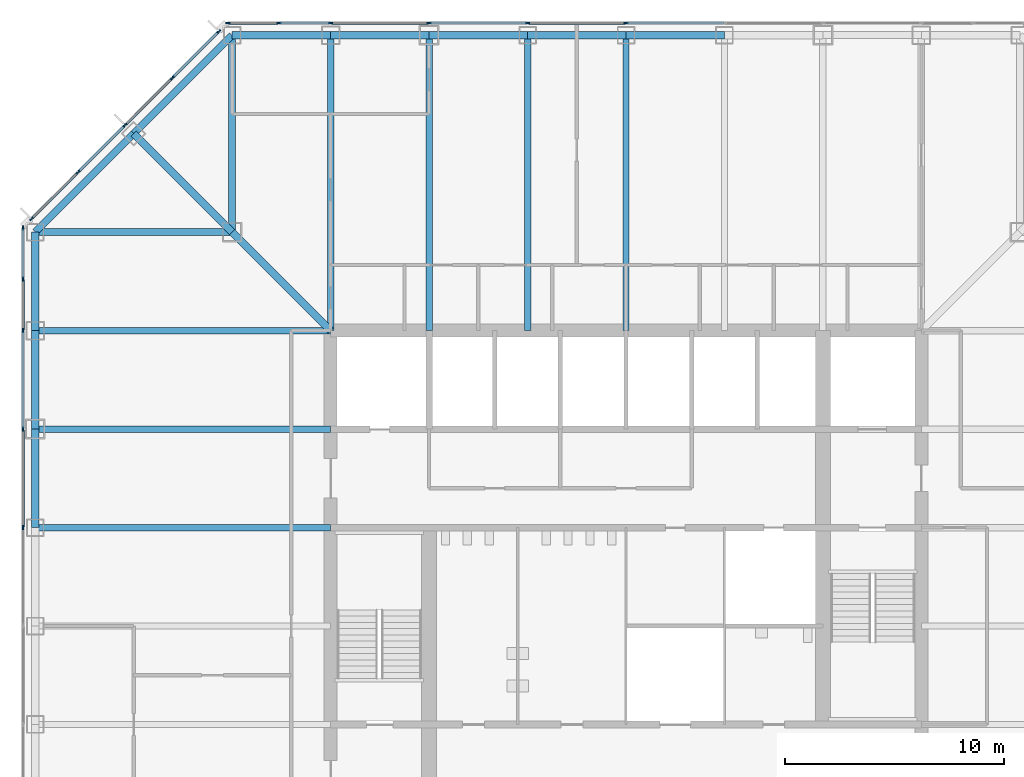
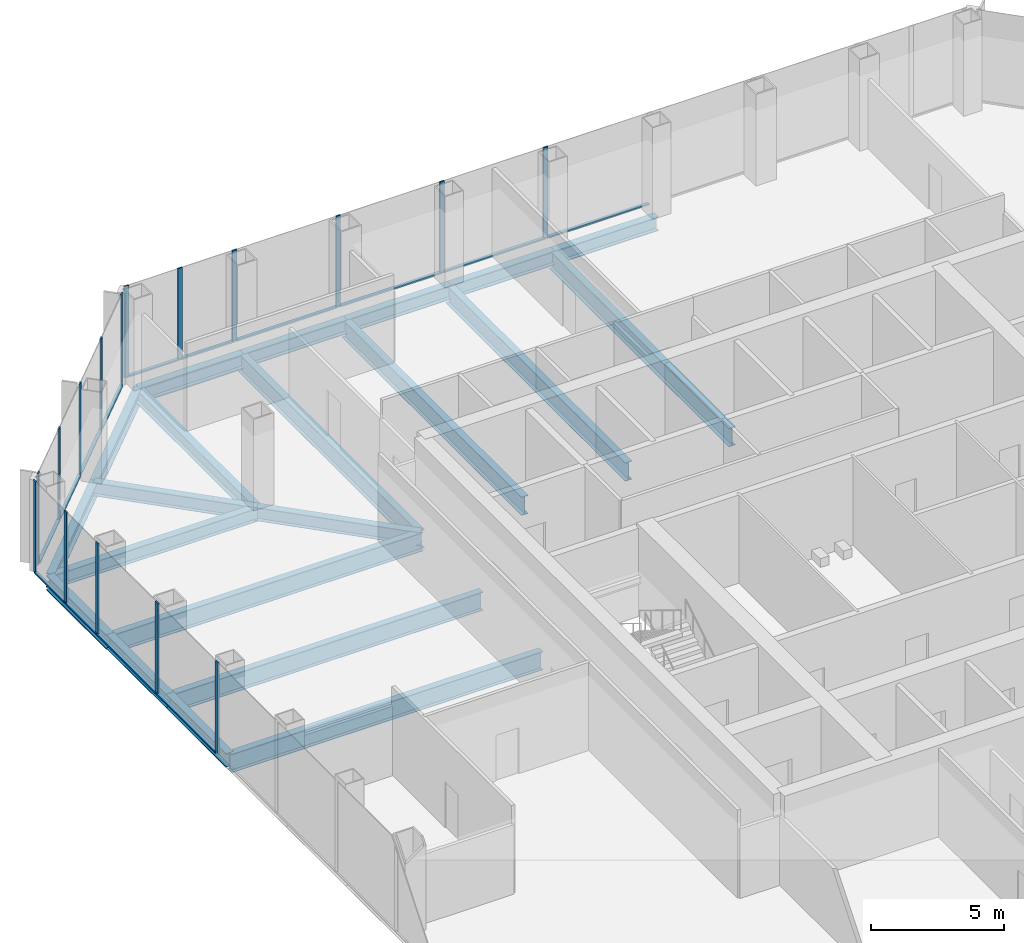
# One storey, part 5 of 13: 30 members, 21 beams, 3 elements without a shape of their own.
"""IFC4 building model written with IfcOpenShell, lengths in metres."""

from ifc_helpers import new_model, si_unit, direction, frame, origin, origin_2d, place, context, subcontext, project, spatial, rectangle, i_section, extrude, material, material_profile, profile_set, type_object, element, aggregate, save


model = new_model("IFC4")

# Units and contexts
model_context = context("Model", 3, precision=1e-05, world=origin(), true_north=direction((0.0, 1.0)))
body_context = subcontext(model_context, "Body", "Model", "MODEL_VIEW")
ifc_project = project(units=[si_unit("LENGTHUNIT", "METRE"), si_unit("AREAUNIT", "SQUARE_METRE"), si_unit("VOLUMEUNIT", "CUBIC_METRE"), si_unit("PLANEANGLEUNIT", "RADIAN"), si_unit("MASSUNIT", "GRAM", prefix="KILO")], contexts=[model_context])

# Site, building, storey
site_placement = place(None, origin())
site = spatial("IfcSite", under=ifc_project, at=site_placement, CompositionType="ELEMENT")
building_placement = place(site_placement, origin())
building = spatial("IfcBuilding", under=site, at=building_placement, Name="Corais Broadcast Tower", CompositionType="ELEMENT")
storey_placement = place(building_placement, frame((0.0, 0.0, 62.60009765625)))
storey = spatial("IfcBuildingStorey", under=building, at=storey_placement, Name="L13", CompositionType="ELEMENT", Elevation=62.60009765625)

# Beams
ifc_material_1 = material(Name="Steel ASTM A572 Grade 50", Category="steel")
ifc_material_profile_1 = material_profile(ifc_material_1, i_section(OverallWidth=0.323974609375, OverallDepth=0.611083984375, WebThickness=0.0126953125, FlangeThickness=0.01904296875, at=origin_2d()), Name="W610x155")
ifc_profile_set_1 = profile_set([ifc_material_profile_1], Name="Steel ASTM A572 Grade 50")
beam_type_1 = type_object("IfcBeamType", Name="Chamfer tie W610x155", PredefinedType="BEAM", material=ifc_profile_set_1)
beam_1_placement = place(storey_placement, frame((4.5, 49.5, -0.465576171875), z_axis=(0.707106781187, -0.707106781187, 0.0), x_axis=(0.707106781187, 0.707106781187, 0.0)))
element("IfcBeam", 1, at=beam_1_placement, inside=storey, type_object=beam_type_1, Name="B5 M/4 to L/5", PredefinedType="BEAM", context=body_context, shape_type="SweptSolid", body=[
    extrude(i_section(OverallWidth=0.323974609375, OverallDepth=0.611083984375, WebThickness=0.0126953125, FlangeThickness=0.01904296875, at=origin_2d()), origin(), (0.0, 0.0, 1.0), 6.364013671875),
])
ifc_material_2 = material(Name="Steel ASTM A572 Grade 50", Category="steel")
ifc_material_profile_2 = material_profile(ifc_material_2, i_section(OverallWidth=0.323974609375, OverallDepth=0.611083984375, WebThickness=0.0126953125, FlangeThickness=0.01904296875, at=origin_2d()), Name="W610x155")
ifc_profile_set_2 = profile_set([ifc_material_profile_2], Name="Steel ASTM A572 Grade 50")
beam_type_2 = type_object("IfcBeamType", Name="Corner diagonal W610x155", PredefinedType="BEAM", material=ifc_profile_set_2)
beam_2_placement = place(storey_placement, frame((9.0, 45.0, -0.465576171875), z_axis=(0.707106781187, -0.707106781187, 0.0), x_axis=(0.707106781187, 0.707106781187, 0.0)))
element("IfcBeam", 2, at=beam_2_placement, inside=storey, type_object=beam_type_2, Name="B6 L/5 to K/6", PredefinedType="BEAM", context=body_context, shape_type="SweptSolid", body=[
    extrude(i_section(OverallWidth=0.323974609375, OverallDepth=0.611083984375, WebThickness=0.0126953125, FlangeThickness=0.01904296875, at=origin_2d()), origin(), (0.0, 0.0, 1.0), 6.364013671875),
])
ifc_material_3 = material(Name="Steel ASTM A572 Grade 50", Category="steel")
ifc_material_profile_3 = material_profile(ifc_material_3, i_section(OverallWidth=0.323974609375, OverallDepth=0.611083984375, WebThickness=0.0126953125, FlangeThickness=0.01904296875, at=origin_2d()), Name="W610x155")
ifc_profile_set_3 = profile_set([ifc_material_profile_3], Name="Steel ASTM A572 Grade 50")
beam_type_3 = type_object("IfcBeamType", Name="Corner girder W610x155", PredefinedType="BEAM", material=ifc_profile_set_3)
for number, where, z_axis, x_axis, name in (
    (3, (0.0, 45.0, -0.465576171875), (1.0, 0.0, 0.0), (0.0, 1.0, 0.0), "B4 L/3 to L/5"),
    (4, (9.0, 54.0, -0.465576171875), (0.0, -1.0, 0.0), (1.0, 0.0, 0.0), "B4 N/5 to L/5"),
):
    element("IfcBeam", number, at=place(storey_placement, frame(where, z_axis=z_axis, x_axis=x_axis)), inside=storey, type_object=beam_type_3, Name=name, PredefinedType="BEAM", context=body_context, shape_type="SweptSolid", body=[
        extrude(i_section(OverallWidth=0.323974609375, OverallDepth=0.611083984375, WebThickness=0.0126953125, FlangeThickness=0.01904296875, at=origin_2d()), origin(), (0.0, 0.0, 1.0), 9.0),
    ])
ifc_material_4 = material(Name="Steel ASTM A572 Grade 50", Category="steel")
ifc_material_profile_4 = material_profile(ifc_material_4, i_section(OverallWidth=0.337890625, OverallDepth=0.677978515625, WebThickness=0.029541015625, FlangeThickness=0.052978515625, at=origin_2d()), Name="W610x415")
ifc_profile_set_4 = profile_set([ifc_material_profile_4], Name="Steel ASTM A572 Grade 50")
beam_type_4 = type_object("IfcBeamType", Name="Corner spandrel W610x415", PredefinedType="BEAM", material=ifc_profile_set_4)
for number, where, z_axis, x_axis, name in (
    (5, (0.0, 45.0, -0.4990234375), (0.0, -1.0, 0.0), (1.0, 0.0, 0.0), "SB10 L/3 to K/3"),
    (6, (13.5, 54.0, -0.4990234375), (-1.0, 0.0, 0.0), (0.0, -1.0, 0.0), "SB10 N/6 to N/5"),
):
    element("IfcBeam", number, at=place(storey_placement, frame(where, z_axis=z_axis, x_axis=x_axis)), inside=storey, type_object=beam_type_4, Name=name, PredefinedType="BEAM", context=body_context, shape_type="SweptSolid", body=[
        extrude(i_section(OverallWidth=0.337890625, OverallDepth=0.677978515625, WebThickness=0.029541015625, FlangeThickness=0.052978515625, at=origin_2d()), origin(), (0.0, 0.0, 1.0), 4.5),
    ])
ifc_material_5 = material(Name="Steel ASTM A572 Grade 50", Category="steel")
ifc_material_profile_5 = material_profile(ifc_material_5, i_section(OverallWidth=0.2939453125, OverallDepth=0.85107421875, WebThickness=0.01611328125, FlangeThickness=0.02685546875, at=origin_2d()), Name="W840x226")
ifc_profile_set_5 = profile_set([ifc_material_profile_5], Name="Steel ASTM A572 Grade 50")
beam_type_5 = type_object("IfcBeamType", Name="Floor beam W840x226", PredefinedType="BEAM", material=ifc_profile_set_5)
for number, where, z_axis, x_axis, name in (
    (7, (0.0, 31.5, -0.585693359375), (1.0, 0.0, 0.0), (0.0, 1.0, 0.0), "B1 H/3 to H/6"),
    (8, (0.0, 36.0, -0.585693359375), (1.0, 0.0, 0.0), (0.0, 1.0, 0.0), "B1 J/3 to J/6"),
    (9, (0.0, 40.5, -0.585693359375), (1.0, 0.0, 0.0), (0.0, 1.0, 0.0), "B1 K/3 to K/6"),
    (10, (13.5, 54.0, -0.585693359375), (0.0, -1.0, 0.0), (1.0, 0.0, 0.0), "B1 N/6 to K/6"),
    (11, (18.0, 54.0, -0.585693359375), (0.0, -1.0, 0.0), (1.0, 0.0, 0.0), "B1 N/7 to K/7"),
    (12, (22.5, 54.0, -0.585693359375), (0.0, -1.0, 0.0), (1.0, 0.0, 0.0), "B1 N/8 to K/8"),
    (13, (27.0, 54.0, -0.585693359375), (0.0, -1.0, 0.0), (1.0, 0.0, 0.0), "B1 N/9 to K/9"),
):
    element("IfcBeam", number, at=place(storey_placement, frame(where, z_axis=z_axis, x_axis=x_axis)), inside=storey, type_object=beam_type_5, Name=name, PredefinedType="BEAM", context=body_context, shape_type="SweptSolid", body=[
        extrude(i_section(OverallWidth=0.2939453125, OverallDepth=0.85107421875, WebThickness=0.01611328125, FlangeThickness=0.02685546875, at=origin_2d()), origin(), (0.0, 0.0, 1.0), 13.5),
    ])

# Curtain wall, members
ifc_material_6 = material(Name="Aluminium and glass", Category="aluminium")
curtain_wall_type = type_object("IfcCurtainWallType", Name="Unitised fritted curtain wall CW1", PredefinedType="NOTDEFINED", material=ifc_material_6)
curtain_wall_1_placement = place(storey_placement, origin())
curtain_wall_1 = element("IfcCurtainWall", 14, at=curtain_wall_1_placement, inside=storey, type_object=curtain_wall_type, Name="CW1 curtain wall L13 2", PredefinedType="NOTDEFINED")
ifc_material_7 = material(Name="Aluminium 6063-T6", Category="aluminium")
ifc_material_profile_6 = material_profile(ifc_material_7, rectangle(XDim=0.06494140625, YDim=0.199951171875, at=origin_2d()), Name="Mullion CW1 65x200")
ifc_profile_set_6 = profile_set([ifc_material_profile_6], Name="Aluminium 6063-T6")
member_type_1 = type_object("IfcMemberType", Name="Mullion CW1 65x200", PredefinedType="MULLION", material=ifc_profile_set_6)
member_1_placement = place(storey_placement, frame((-0.550048828125, 31.5, 0.0), z_axis=(0.0, 0.0, 1.0), x_axis=(-1.0, 0.0, 0.0)))
member_1 = element("IfcMember", 15, at=member_1_placement, type_object=member_type_1, Name="CW1 mullion 7", PredefinedType="MULLION", context=body_context, shape_type="SweptSolid", body=[
    extrude(rectangle(XDim=0.06494140625, YDim=0.199951171875, at=origin_2d()), origin(), (0.0, 0.0, 1.0), 4.199951171875),
])
member_2_placement = place(storey_placement, frame((-0.550048828125, 36.0, 0.0), z_axis=(0.0, 0.0, 1.0), x_axis=(-1.0, 0.0, 0.0)))
member_2 = element("IfcMember", 16, at=member_2_placement, type_object=member_type_1, Name="CW1 mullion 8", PredefinedType="MULLION", context=body_context, shape_type="SweptSolid", body=[
    extrude(rectangle(XDim=0.06494140625, YDim=0.199951171875, at=origin_2d()), origin(), (0.0, 0.0, 1.0), 4.199951171875),
])
member_3_placement = place(storey_placement, frame((-0.550048828125, 40.5, 0.0), z_axis=(0.0, 0.0, 1.0), x_axis=(-1.0, 0.0, 0.0)))
member_3 = element("IfcMember", 17, at=member_3_placement, type_object=member_type_1, Name="CW1 mullion 9", PredefinedType="MULLION", context=body_context, shape_type="SweptSolid", body=[
    extrude(rectangle(XDim=0.06494140625, YDim=0.199951171875, at=origin_2d()), origin(), (0.0, 0.0, 1.0), 4.199951171875),
])
member_4_placement = place(storey_placement, frame((-0.550048828125, 42.864013671875, 0.0), z_axis=(0.0, 0.0, 1.0), x_axis=(-1.0, 0.0, 0.0)))
member_4 = element("IfcMember", 18, at=member_4_placement, type_object=member_type_1, Name="CW1 mullion 10", PredefinedType="MULLION", context=body_context, shape_type="SweptSolid", body=[
    extrude(rectangle(XDim=0.06494140625, YDim=0.199951171875, at=origin_2d()), origin(), (0.0, 0.0, 1.0), 4.199951171875),
])
member_5_placement = place(storey_placement, frame((-0.550048828125, 45.1953125, 0.0), z_axis=(0.0, 0.0, 1.0), x_axis=(-1.0, 0.0, 0.0)))
member_5 = element("IfcMember", 19, at=member_5_placement, type_object=member_type_1, Name="CW1 mullion 11", PredefinedType="MULLION", context=body_context, shape_type="SweptSolid", body=[
    extrude(rectangle(XDim=0.06494140625, YDim=0.199951171875, at=origin_2d()), origin(), (0.0, 0.0, 1.0), 4.199951171875),
])

curtain_wall_2_placement = place(storey_placement, origin())
curtain_wall_2 = element("IfcCurtainWall", 20, at=curtain_wall_2_placement, inside=storey, type_object=curtain_wall_type, Name="CW1 curtain wall L13 3", PredefinedType="NOTDEFINED")
member_6_placement = place(storey_placement, frame((-0.17333984375, 45.6044921875, 0.0), z_axis=(0.0, 0.0, 1.0), x_axis=(-0.707106781187, 0.707106781187, 0.0)))
member_6 = element("IfcMember", 21, at=member_6_placement, type_object=member_type_1, Name="CW1 mullion 1", PredefinedType="MULLION", context=body_context, shape_type="SweptSolid", body=[
    extrude(rectangle(XDim=0.06494140625, YDim=0.199951171875, at=origin_2d()), origin(), (0.0, 0.0, 1.0), 4.199951171875),
])
member_7_placement = place(storey_placement, frame((1.957275390625, 47.735107421875, 0.0), z_axis=(0.0, 0.0, 1.0), x_axis=(-0.707106781187, 0.707106781187, 0.0)))
member_7 = element("IfcMember", 22, at=member_7_placement, type_object=member_type_1, Name="CW1 mullion 2", PredefinedType="MULLION", context=body_context, shape_type="SweptSolid", body=[
    extrude(rectangle(XDim=0.06494140625, YDim=0.199951171875, at=origin_2d()), origin(), (0.0, 0.0, 1.0), 4.199951171875),
])
member_8_placement = place(storey_placement, frame((4.111083984375, 49.888916015625, 0.0), z_axis=(0.0, 0.0, 1.0), x_axis=(-0.707106781187, 0.707106781187, 0.0)))
member_8 = element("IfcMember", 23, at=member_8_placement, type_object=member_type_1, Name="CW1 mullion 3", PredefinedType="MULLION", context=body_context, shape_type="SweptSolid", body=[
    extrude(rectangle(XDim=0.06494140625, YDim=0.199951171875, at=origin_2d()), origin(), (0.0, 0.0, 1.0), 4.199951171875),
])
member_9_placement = place(storey_placement, frame((6.264892578125, 52.042724609375, 0.0), z_axis=(0.0, 0.0, 1.0), x_axis=(-0.707106781187, 0.707106781187, 0.0)))
member_9 = element("IfcMember", 24, at=member_9_placement, type_object=member_type_1, Name="CW1 mullion 4", PredefinedType="MULLION", context=body_context, shape_type="SweptSolid", body=[
    extrude(rectangle(XDim=0.06494140625, YDim=0.199951171875, at=origin_2d()), origin(), (0.0, 0.0, 1.0), 4.199951171875),
])
member_10_placement = place(storey_placement, frame((8.3955078125, 54.17333984375, 0.0), z_axis=(0.0, 0.0, 1.0), x_axis=(-0.707106781187, 0.707106781187, 0.0)))
member_10 = element("IfcMember", 25, at=member_10_placement, type_object=member_type_1, Name="CW1 mullion 5", PredefinedType="MULLION", context=body_context, shape_type="SweptSolid", body=[
    extrude(rectangle(XDim=0.06494140625, YDim=0.199951171875, at=origin_2d()), origin(), (0.0, 0.0, 1.0), 4.199951171875),
])

curtain_wall_3_placement = place(storey_placement, origin())
curtain_wall_3 = element("IfcCurtainWall", 26, at=curtain_wall_3_placement, inside=storey, type_object=curtain_wall_type, Name="CW1 curtain wall L13 4", PredefinedType="NOTDEFINED")
member_11_placement = place(storey_placement, frame((8.8046875, 54.550048828125, 0.0), z_axis=(0.0, 0.0, 1.0), x_axis=(0.0, 1.0, 0.0)))
member_11 = element("IfcMember", 27, at=member_11_placement, type_object=member_type_1, Name="CW1 mullion 1", PredefinedType="MULLION", context=body_context, shape_type="SweptSolid", body=[
    extrude(rectangle(XDim=0.06494140625, YDim=0.199951171875, at=origin_2d()), origin(), (0.0, 0.0, 1.0), 4.199951171875),
])
member_12_placement = place(storey_placement, frame((11.135986328125, 54.550048828125, 0.0), z_axis=(0.0, 0.0, 1.0), x_axis=(0.0, 1.0, 0.0)))
member_12 = element("IfcMember", 28, at=member_12_placement, type_object=member_type_1, Name="CW1 mullion 2", PredefinedType="MULLION", context=body_context, shape_type="SweptSolid", body=[
    extrude(rectangle(XDim=0.06494140625, YDim=0.199951171875, at=origin_2d()), origin(), (0.0, 0.0, 1.0), 4.199951171875),
])
member_13_placement = place(storey_placement, frame((13.5, 54.550048828125, 0.0), z_axis=(0.0, 0.0, 1.0), x_axis=(0.0, 1.0, 0.0)))
member_13 = element("IfcMember", 29, at=member_13_placement, type_object=member_type_1, Name="CW1 mullion 3", PredefinedType="MULLION", context=body_context, shape_type="SweptSolid", body=[
    extrude(rectangle(XDim=0.06494140625, YDim=0.199951171875, at=origin_2d()), origin(), (0.0, 0.0, 1.0), 4.199951171875),
])
member_14_placement = place(storey_placement, frame((18.0, 54.550048828125, 0.0), z_axis=(0.0, 0.0, 1.0), x_axis=(0.0, 1.0, 0.0)))
member_14 = element("IfcMember", 30, at=member_14_placement, type_object=member_type_1, Name="CW1 mullion 4", PredefinedType="MULLION", context=body_context, shape_type="SweptSolid", body=[
    extrude(rectangle(XDim=0.06494140625, YDim=0.199951171875, at=origin_2d()), origin(), (0.0, 0.0, 1.0), 4.199951171875),
])
member_15_placement = place(storey_placement, frame((22.5, 54.550048828125, 0.0), z_axis=(0.0, 0.0, 1.0), x_axis=(0.0, 1.0, 0.0)))
member_15 = element("IfcMember", 31, at=member_15_placement, type_object=member_type_1, Name="CW1 mullion 5", PredefinedType="MULLION", context=body_context, shape_type="SweptSolid", body=[
    extrude(rectangle(XDim=0.06494140625, YDim=0.199951171875, at=origin_2d()), origin(), (0.0, 0.0, 1.0), 4.199951171875),
])
member_16_placement = place(storey_placement, frame((27.0, 54.550048828125, 0.0), z_axis=(0.0, 0.0, 1.0), x_axis=(0.0, 1.0, 0.0)))
member_16 = element("IfcMember", 32, at=member_16_placement, type_object=member_type_1, Name="CW1 mullion 6", PredefinedType="MULLION", context=body_context, shape_type="SweptSolid", body=[
    extrude(rectangle(XDim=0.06494140625, YDim=0.199951171875, at=origin_2d()), origin(), (0.0, 0.0, 1.0), 4.199951171875),
])

# Beams
ifc_material_8 = material(Name="Steel ASTM A572 Grade 50", Category="steel")
ifc_material_profile_7 = material_profile(ifc_material_8, i_section(OverallWidth=0.3291015625, OverallDepth=0.635009765625, WebThickness=0.017822265625, FlangeThickness=0.031005859375, at=origin_2d()), Name="W610x241")
ifc_profile_set_7 = profile_set([ifc_material_profile_7], Name="Steel ASTM A572 Grade 50")
beam_type_6 = type_object("IfcBeamType", Name="Spandrel W610x241", PredefinedType="BEAM", material=ifc_profile_set_7)
for number, where, z_axis, x_axis, name in (
    (33, (0.0, 36.0, -0.4775390625), (0.0, -1.0, 0.0), (1.0, 0.0, 0.0), "SB1 J/3 to H/3"),
    (34, (0.0, 40.5, -0.4775390625), (0.0, -1.0, 0.0), (1.0, 0.0, 0.0), "SB1 K/3 to J/3"),
    (35, (18.0, 54.0, -0.4775390625), (-1.0, 0.0, 0.0), (0.0, -1.0, 0.0), "SB1 N/7 to N/6"),
    (36, (22.5, 54.0, -0.4775390625), (-1.0, 0.0, 0.0), (0.0, -1.0, 0.0), "SB1 N/8 to N/7"),
    (37, (27.0, 54.0, -0.4775390625), (-1.0, 0.0, 0.0), (0.0, -1.0, 0.0), "SB1 N/9 to N/8"),
    (38, (31.5, 54.0, -0.4775390625), (-1.0, 0.0, 0.0), (0.0, -1.0, 0.0), "SB1 N/10 to N/9"),
):
    element("IfcBeam", number, at=place(storey_placement, frame(where, z_axis=z_axis, x_axis=x_axis)), inside=storey, type_object=beam_type_6, Name=name, PredefinedType="BEAM", context=body_context, shape_type="SweptSolid", body=[
        extrude(i_section(OverallWidth=0.3291015625, OverallDepth=0.635009765625, WebThickness=0.017822265625, FlangeThickness=0.031005859375, at=origin_2d()), origin(), (0.0, 0.0, 1.0), 4.5),
    ])
for number, where, z_axis, x_axis, name in (
    (39, (4.5, 49.5, -0.4775390625), (-0.707106781187, -0.707106781187, 0.0), (0.707106781187, -0.707106781187, 0.0), "SB1 M/4 to L/3"),
    (40, (9.0, 54.0, -0.4775390625), (-0.707106781187, -0.707106781187, 0.0), (0.707106781187, -0.707106781187, 0.0), "SB1 N/5 to M/4"),
):
    element("IfcBeam", number, at=place(storey_placement, frame(where, z_axis=z_axis, x_axis=x_axis)), inside=storey, type_object=beam_type_6, Name=name, PredefinedType="BEAM", context=body_context, shape_type="SweptSolid", body=[
        extrude(i_section(OverallWidth=0.3291015625, OverallDepth=0.635009765625, WebThickness=0.017822265625, FlangeThickness=0.031005859375, at=origin_2d()), origin(), (0.0, 0.0, 1.0), 6.364013671875),
    ])

# Member
ifc_material_9 = material(Name="Aluminium 6063-T6", Category="aluminium")
ifc_material_profile_8 = material_profile(ifc_material_9, rectangle(XDim=0.139892578125, YDim=0.06494140625, at=origin_2d()), Name="Transom CW1 65x140")
ifc_profile_set_8 = profile_set([ifc_material_profile_8], Name="Aluminium 6063-T6")
member_type_2 = type_object("IfcMemberType", Name="Transom CW1 65x140", PredefinedType="USERDEFINED", material=ifc_profile_set_8)
member_17_placement = place(storey_placement, frame((-0.550048828125, 31.532470703125, 0.032470703125), z_axis=(0.0, 1.0, 0.0), x_axis=(-1.0, 0.0, 0.0)))
member_17 = element("IfcMember", 41, at=member_17_placement, type_object=member_type_2, Name="CW1 transom 7.1", ObjectType="TRANSOM", PredefinedType="USERDEFINED", context=body_context, shape_type="SweptSolid", body=[
    extrude(rectangle(XDim=0.139892578125, YDim=0.06494140625, at=origin_2d()), origin(), (0.0, 0.0, 1.0), 4.43505859375),
])

member_18_placement = place(storey_placement, frame((-0.550048828125, 36.032470703125, 0.032470703125), z_axis=(0.0, 1.0, 0.0), x_axis=(-1.0, 0.0, 0.0)))
member_18 = element("IfcMember", 42, at=member_18_placement, type_object=member_type_2, Name="CW1 transom 8.1", ObjectType="TRANSOM", PredefinedType="USERDEFINED", context=body_context, shape_type="SweptSolid", body=[
    extrude(rectangle(XDim=0.139892578125, YDim=0.06494140625, at=origin_2d()), origin(), (0.0, 0.0, 1.0), 4.43505859375),
])

member_19_placement = place(storey_placement, frame((-0.550048828125, 40.532470703125, 0.032470703125), z_axis=(0.0, 1.0, 0.0), x_axis=(-1.0, 0.0, 0.0)))
member_19 = element("IfcMember", 43, at=member_19_placement, type_object=member_type_2, Name="CW1 transom 9.1", ObjectType="TRANSOM", PredefinedType="USERDEFINED", context=body_context, shape_type="SweptSolid", body=[
    extrude(rectangle(XDim=0.139892578125, YDim=0.06494140625, at=origin_2d()), origin(), (0.0, 0.0, 1.0), 2.298828125),
])

member_20_placement = place(storey_placement, frame((-0.550048828125, 42.896484375, 0.032470703125), z_axis=(0.0, 1.0, 0.0), x_axis=(-1.0, 0.0, 0.0)))
member_20 = element("IfcMember", 44, at=member_20_placement, type_object=member_type_2, Name="CW1 transom 10.1", ObjectType="TRANSOM", PredefinedType="USERDEFINED", context=body_context, shape_type="SweptSolid", body=[
    extrude(rectangle(XDim=0.139892578125, YDim=0.06494140625, at=origin_2d()), origin(), (0.0, 0.0, 1.0), 2.266357421875),
])

aggregate(curtain_wall_1, [member_1, member_2, member_3, member_4, member_5, member_17, member_18, member_19, member_20])

member_21_placement = place(storey_placement, frame((-0.150390625, 45.62744140625, 0.032470703125), z_axis=(0.707106781187, 0.707106781187, 0.0), x_axis=(-0.707106781187, 0.707106781187, 0.0)))
member_21 = element("IfcMember", 45, at=member_21_placement, type_object=member_type_2, Name="CW1 transom 1.1", ObjectType="TRANSOM", PredefinedType="USERDEFINED", context=body_context, shape_type="SweptSolid", body=[
    extrude(rectangle(XDim=0.139892578125, YDim=0.06494140625, at=origin_2d()), origin(), (0.0, 0.0, 1.0), 2.9482421875),
])

member_22_placement = place(storey_placement, frame((1.980224609375, 47.758056640625, 0.032470703125), z_axis=(0.707106781187, 0.707106781187, 0.0), x_axis=(-0.707106781187, 0.707106781187, 0.0)))
member_22 = element("IfcMember", 46, at=member_22_placement, type_object=member_type_2, Name="CW1 transom 2.1", ObjectType="TRANSOM", PredefinedType="USERDEFINED", context=body_context, shape_type="SweptSolid", body=[
    extrude(rectangle(XDim=0.139892578125, YDim=0.06494140625, at=origin_2d()), origin(), (0.0, 0.0, 1.0), 2.98095703125),
])

member_23_placement = place(storey_placement, frame((4.134033203125, 49.911865234375, 0.032470703125), z_axis=(0.707106781187, 0.707106781187, 0.0), x_axis=(-0.707106781187, 0.707106781187, 0.0)))
member_23 = element("IfcMember", 47, at=member_23_placement, type_object=member_type_2, Name="CW1 transom 3.1", ObjectType="TRANSOM", PredefinedType="USERDEFINED", context=body_context, shape_type="SweptSolid", body=[
    extrude(rectangle(XDim=0.139892578125, YDim=0.06494140625, at=origin_2d()), origin(), (0.0, 0.0, 1.0), 2.98095703125),
])

member_24_placement = place(storey_placement, frame((6.287841796875, 52.065673828125, 0.032470703125), z_axis=(0.707106781187, 0.707106781187, 0.0), x_axis=(-0.707106781187, 0.707106781187, 0.0)))
member_24 = element("IfcMember", 48, at=member_24_placement, type_object=member_type_2, Name="CW1 transom 4.1", ObjectType="TRANSOM", PredefinedType="USERDEFINED", context=body_context, shape_type="SweptSolid", body=[
    extrude(rectangle(XDim=0.139892578125, YDim=0.06494140625, at=origin_2d()), origin(), (0.0, 0.0, 1.0), 2.9482421875),
])

aggregate(curtain_wall_2, [member_6, member_7, member_8, member_9, member_10, member_21, member_22, member_23, member_24])

member_25_placement = place(storey_placement, frame((8.837158203125, 54.550048828125, 0.032470703125), z_axis=(1.0, 0.0, 0.0), x_axis=(0.0, 1.0, 0.0)))
member_25 = element("IfcMember", 49, at=member_25_placement, type_object=member_type_2, Name="CW1 transom 1.1", ObjectType="TRANSOM", PredefinedType="USERDEFINED", context=body_context, shape_type="SweptSolid", body=[
    extrude(rectangle(XDim=0.139892578125, YDim=0.06494140625, at=origin_2d()), origin(), (0.0, 0.0, 1.0), 2.266357421875),
])

member_26_placement = place(storey_placement, frame((11.168701171875, 54.550048828125, 0.032470703125), z_axis=(1.0, 0.0, 0.0), x_axis=(0.0, 1.0, 0.0)))
member_26 = element("IfcMember", 50, at=member_26_placement, type_object=member_type_2, Name="CW1 transom 2.1", ObjectType="TRANSOM", PredefinedType="USERDEFINED", context=body_context, shape_type="SweptSolid", body=[
    extrude(rectangle(XDim=0.139892578125, YDim=0.06494140625, at=origin_2d()), origin(), (0.0, 0.0, 1.0), 2.298828125),
])

member_27_placement = place(storey_placement, frame((13.532470703125, 54.550048828125, 0.032470703125), z_axis=(1.0, 0.0, 0.0), x_axis=(0.0, 1.0, 0.0)))
member_27 = element("IfcMember", 51, at=member_27_placement, type_object=member_type_2, Name="CW1 transom 3.1", ObjectType="TRANSOM", PredefinedType="USERDEFINED", context=body_context, shape_type="SweptSolid", body=[
    extrude(rectangle(XDim=0.139892578125, YDim=0.06494140625, at=origin_2d()), origin(), (0.0, 0.0, 1.0), 4.43505859375),
])

member_28_placement = place(storey_placement, frame((18.032470703125, 54.550048828125, 0.032470703125), z_axis=(1.0, 0.0, 0.0), x_axis=(0.0, 1.0, 0.0)))
member_28 = element("IfcMember", 52, at=member_28_placement, type_object=member_type_2, Name="CW1 transom 4.1", ObjectType="TRANSOM", PredefinedType="USERDEFINED", context=body_context, shape_type="SweptSolid", body=[
    extrude(rectangle(XDim=0.139892578125, YDim=0.06494140625, at=origin_2d()), origin(), (0.0, 0.0, 1.0), 4.43505859375),
])

member_29_placement = place(storey_placement, frame((22.532470703125, 54.550048828125, 0.032470703125), z_axis=(1.0, 0.0, 0.0), x_axis=(0.0, 1.0, 0.0)))
member_29 = element("IfcMember", 53, at=member_29_placement, type_object=member_type_2, Name="CW1 transom 5.1", ObjectType="TRANSOM", PredefinedType="USERDEFINED", context=body_context, shape_type="SweptSolid", body=[
    extrude(rectangle(XDim=0.139892578125, YDim=0.06494140625, at=origin_2d()), origin(), (0.0, 0.0, 1.0), 4.43505859375),
])

member_30_placement = place(storey_placement, frame((27.032470703125, 54.550048828125, 0.032470703125), z_axis=(1.0, 0.0, 0.0), x_axis=(0.0, 1.0, 0.0)))
member_30 = element("IfcMember", 54, at=member_30_placement, type_object=member_type_2, Name="CW1 transom 6.1", ObjectType="TRANSOM", PredefinedType="USERDEFINED", context=body_context, shape_type="SweptSolid", body=[
    extrude(rectangle(XDim=0.139892578125, YDim=0.06494140625, at=origin_2d()), origin(), (0.0, 0.0, 1.0), 4.43505859375),
])

aggregate(curtain_wall_3, [member_11, member_12, member_13, member_14, member_15, member_16, member_25, member_26, member_27, member_28, member_29, member_30])

save(model, "model.ifc")
